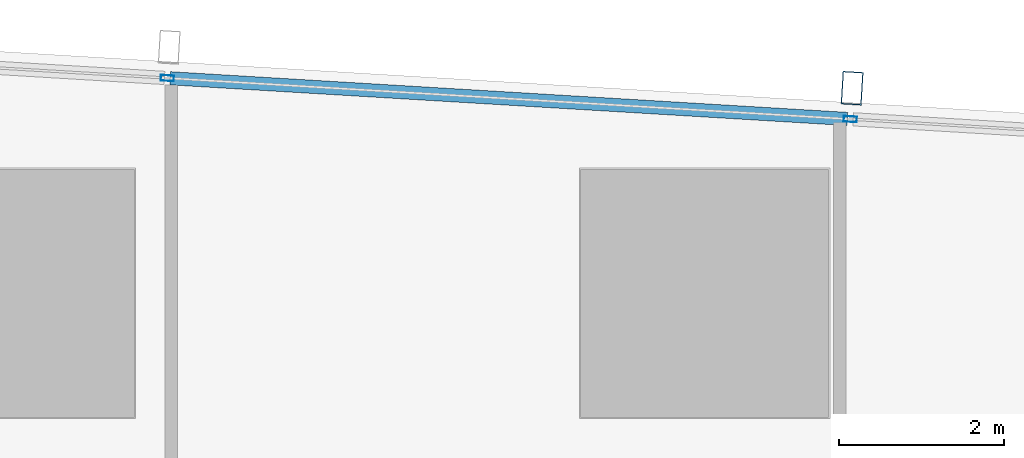
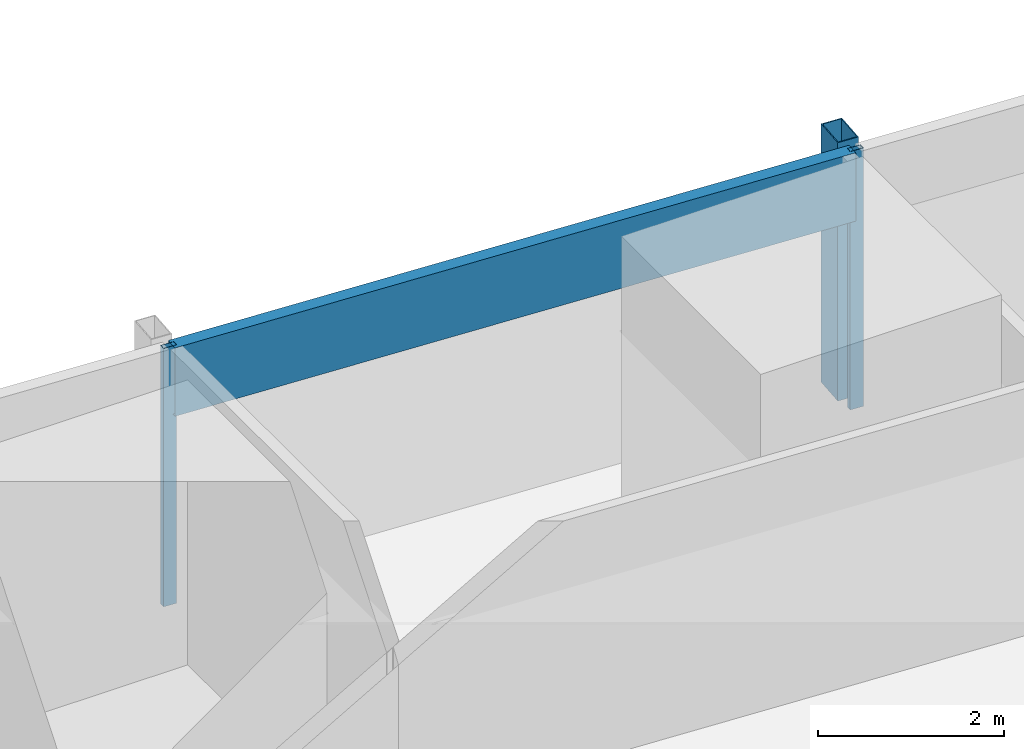
# One storey, part 19 of 38: 4 members, 1 element without a shape of its own.
"""IFC4 building model written with IfcOpenShell, lengths in metres."""

from ifc_helpers import new_model, si_unit, direction, frame, origin, origin_2d, place, context, subcontext, project, spatial, hollow_rectangle, extrude, material, material_profile, profile_set, type_object, element, aggregate, save


model = new_model("IFC4")

# Units and contexts
model_context = context("Model", 3, precision=1e-05, world=origin(), true_north=direction((0.0, 1.0)))
body_context = subcontext(model_context, "Body", "Model", "MODEL_VIEW")
ifc_project = project(units=[si_unit("LENGTHUNIT", "METRE"), si_unit("AREAUNIT", "SQUARE_METRE"), si_unit("VOLUMEUNIT", "CUBIC_METRE"), si_unit("PLANEANGLEUNIT", "RADIAN"), si_unit("MASSUNIT", "GRAM", prefix="KILO")], contexts=[model_context])

# Site, building, storey
site_placement = place(None, origin())
site = spatial("IfcSite", under=ifc_project, at=site_placement, CompositionType="ELEMENT")
building_placement = place(site_placement, origin())
building = spatial("IfcBuilding", under=site, at=building_placement, Name="Rekha Terrace Tower", CompositionType="ELEMENT")
storey_placement = place(building_placement, frame((0.0, 0.0, 159.050048828125)))
storey = spatial("IfcBuildingStorey", under=building, at=storey_placement, Name="L40", CompositionType="ELEMENT", Elevation=159.050048828125)

# Curtain wall, members
ifc_material_1 = material(Name="Aluminium framing", Category="aluminium")
curtain_wall_type = type_object("IfcCurtainWallType", Name="CW3 north unitised glazing", PredefinedType="USERDEFINED", material=ifc_material_1)
curtain_wall_placement = place(storey_placement, origin())
curtain_wall = element("IfcCurtainWall", 1, at=curtain_wall_placement, inside=storey, type_object=curtain_wall_type, Name="CW3 unitised curtain wall", ObjectType="UNITISED CURTAIN WALL", PredefinedType="USERDEFINED")
ifc_material_2 = material(Name="Steel S355 with fluorocarbon finish", Category="steel")
ifc_material_profile_1 = material_profile(ifc_material_2, hollow_rectangle(XDim=0.25, YDim=0.39990234375, WallThickness=0.012451171875, at=origin_2d()), Name="RHS400x250x12.5")
ifc_profile_set_1 = profile_set([ifc_material_profile_1], Name="Steel S355 with fluorocarbon finish")
member_type_1 = type_object("IfcMemberType", Name="BL1 facade blade RHS 400 x 250", PredefinedType="USERDEFINED", material=ifc_profile_set_1)
member_1_placement = place(storey_placement, frame((60.583740234375, 61.281005859375, 0.0), z_axis=(0.0, 0.0, 1.0), x_axis=(-0.998199123409, 0.059987582268, 0.0)))
member_1 = element("IfcMember", 2, at=member_1_placement, type_object=member_type_1, Name="Facade blade", ObjectType="FACADE BLADE", PredefinedType="USERDEFINED", context=body_context, shape_type="SweptSolid", body=[
    extrude(hollow_rectangle(XDim=0.25, YDim=0.39990234375, WallThickness=0.012451171875, at=origin_2d()), origin(), (0.0, 0.0, 1.0), 3.39990234375),
])
ifc_material_3 = material(Name="Aluminium mullion section", Category="aluminium")
ifc_material_profile_2 = material_profile(ifc_material_3, hollow_rectangle(XDim=0.070068359375, YDim=0.159912109375, WallThickness=0.00390625, at=origin_2d()), Name="AL RHS 70x160")
ifc_profile_set_2 = profile_set([ifc_material_profile_2], Name="Aluminium mullion section")
member_type_2 = type_object("IfcMemberType", Name="CW3 mullion RHS 70 x 160", PredefinedType="MULLION", material=ifc_profile_set_2)
member_2_placement = place(storey_placement, frame((60.561279296875, 60.90673828125, 0.0), z_axis=(0.0, 0.0, 1.0), x_axis=(-0.059987926837, -0.998199102701, 0.0)))
member_2 = element("IfcMember", 3, at=member_2_placement, type_object=member_type_2, Name="CW3 mullion 2", PredefinedType="MULLION", context=body_context, shape_type="SweptSolid", body=[
    extrude(hollow_rectangle(XDim=0.070068359375, YDim=0.159912109375, WallThickness=0.00390625, at=origin_2d()), origin(), (0.0, 0.0, 1.0), 3.39990234375),
])
member_3_placement = place(storey_placement, frame((52.299560546875, 61.4033203125, 0.0), z_axis=(0.0, 0.0, 1.0), x_axis=(-0.059987926837, -0.998199102701, 0.0)))
member_3 = element("IfcMember", 4, at=member_3_placement, type_object=member_type_2, Name="CW3 mullion 3", PredefinedType="MULLION", context=body_context, shape_type="SweptSolid", body=[
    extrude(hollow_rectangle(XDim=0.070068359375, YDim=0.159912109375, WallThickness=0.00390625, at=origin_2d()), origin(), (0.0, 0.0, 1.0), 3.39990234375),
])
ifc_material_4 = material(Name="Insulated aluminium spandrel box", Category="aluminium")
ifc_material_profile_3 = material_profile(ifc_material_4, hollow_rectangle(XDim=0.159912109375, YDim=0.89990234375, WallThickness=0.0029296875, at=origin_2d()), Name="AL SPANDREL BOX 160x900")
ifc_profile_set_3 = profile_set([ifc_material_profile_3], Name="Insulated aluminium spandrel box")
member_type_3 = type_object("IfcMemberType", Name="CW3 spandrel transom 160 x 900", PredefinedType="USERDEFINED", material=ifc_profile_set_3)
member_4_placement = place(storey_placement, frame((60.5263671875, 60.908935546875, 2.949951171875), z_axis=(-0.998199826332, 0.059975884418, 0.0), x_axis=(-0.059975884418, -0.998199826332, 0.0)))
member_4 = element("IfcMember", 5, at=member_4_placement, type_object=member_type_3, Name="CW3 spandrel transom 2", ObjectType="TRANSOM", PredefinedType="USERDEFINED", context=body_context, shape_type="SweptSolid", body=[
    extrude(hollow_rectangle(XDim=0.159912109375, YDim=0.89990234375, WallThickness=0.0029296875, at=origin_2d()), origin(), (0.0, 0.0, 1.0), 8.20654296875),
])
aggregate(curtain_wall, [member_2, member_3, member_4, member_1])

save(model, "model.ifc")
